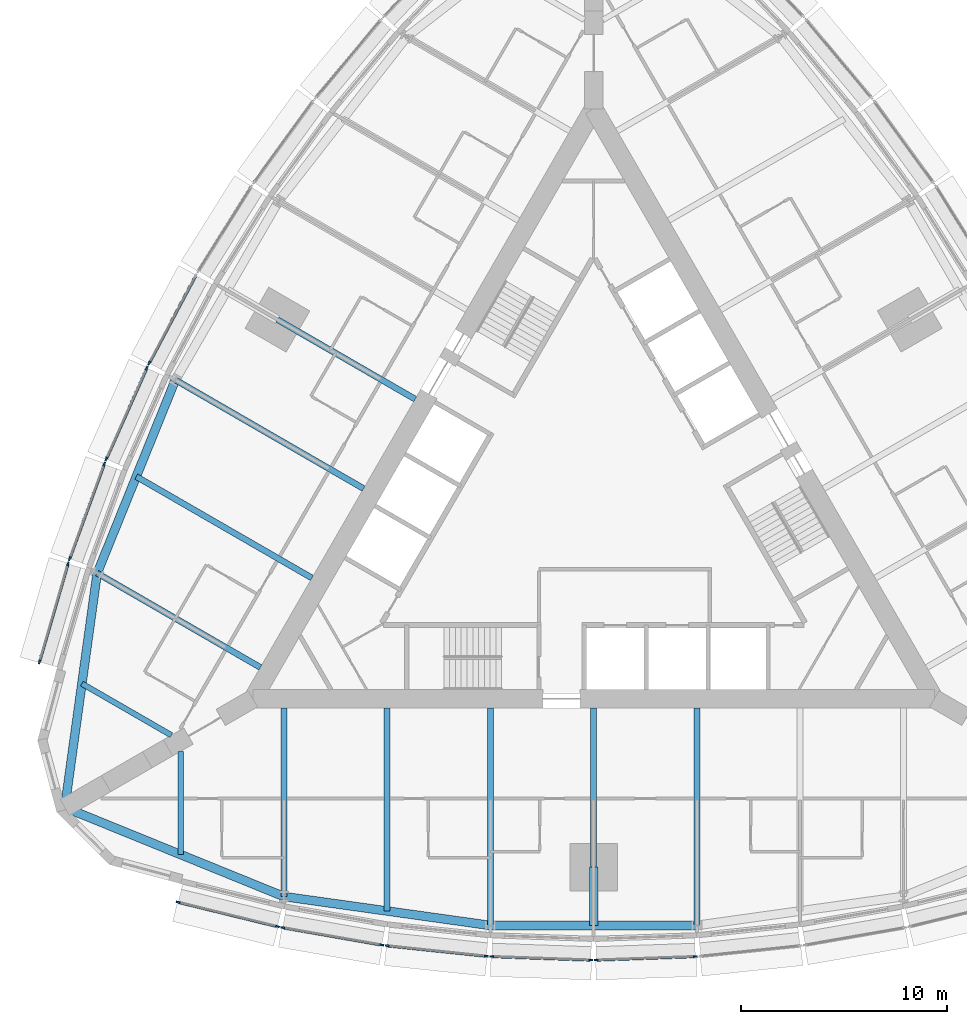
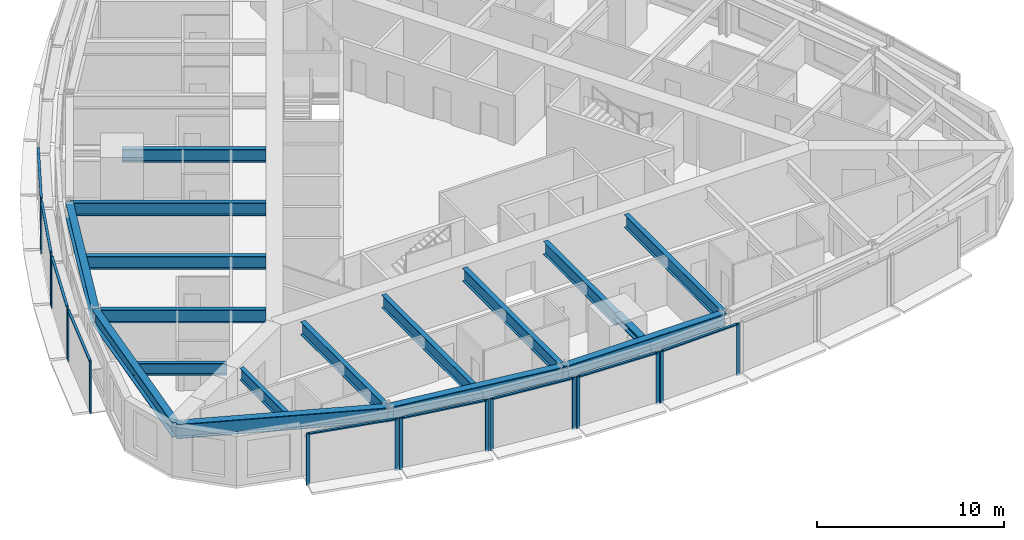
# One storey, part 2 of 14: 26 members, 17 beams, 9 elements without a shape of their own.
"""IFC4 building model written with IfcOpenShell, lengths in metres."""

from ifc_helpers import new_model, si_unit, direction, frame, origin, origin_2d, place, context, subcontext, project, spatial, rectangle, i_section, extrude, material, material_profile, profile_set, type_object, element, aggregate, save


model = new_model("IFC4")

# Units and contexts
model_context = context("Model", 3, precision=1e-05, world=origin(), true_north=direction((0.0, 1.0)))
body_context = subcontext(model_context, "Body", "Model", "MODEL_VIEW")
ifc_project = project(units=[si_unit("LENGTHUNIT", "METRE"), si_unit("AREAUNIT", "SQUARE_METRE"), si_unit("VOLUMEUNIT", "CUBIC_METRE"), si_unit("PLANEANGLEUNIT", "RADIAN"), si_unit("MASSUNIT", "GRAM", prefix="KILO")], contexts=[model_context])

# Site, building, storey
site_placement = place(None, origin())
site = spatial("IfcSite", under=ifc_project, at=site_placement, CompositionType="ELEMENT")
building_placement = place(site_placement, origin())
building = spatial("IfcBuilding", under=site, at=building_placement, Name="Trikona Tower", CompositionType="ELEMENT")
storey_placement = place(building_placement, frame((0.0, 0.0, 128.300048828125)))
storey = spatial("IfcBuildingStorey", under=building, at=storey_placement, Name="L33", CompositionType="ELEMENT", Elevation=128.300048828125)

# Curtain wall, members
ifc_material_1 = material(Name="Aluminium curtain wall system", Category="aluminium")
curtain_wall_type = type_object("IfcCurtainWallType", Name="Curtain wall DS2", PredefinedType="NOTDEFINED", material=ifc_material_1)
curtain_wall_1_placement = place(storey_placement, origin())
curtain_wall_1 = element("IfcCurtainWall", 1, at=curtain_wall_1_placement, inside=storey, type_object=curtain_wall_type, Name="Curtain wall DS2 L33", PredefinedType="NOTDEFINED")
ifc_material_2 = material(Name="Aluminium mullion, pale anodised", Category="aluminium")
ifc_material_profile_1 = material_profile(ifc_material_2, rectangle(XDim=0.080078125, YDim=0.199951171875, at=origin_2d()), Name="MUL-DS2")
ifc_profile_set_1 = profile_set([ifc_material_profile_1], Name="Aluminium mullion, pale anodised")
member_type_1 = type_object("IfcMemberType", Name="Mullion DS2 80x200", PredefinedType="MULLION", material=ifc_profile_set_1)
member_1_placement = place(storey_placement, frame((-20.116943359375, -19.373046875, 0.0), z_axis=(0.0, 0.0, 1.0), x_axis=(0.237970204243, 0.971272455026, 0.0)))
member_1 = element("IfcMember", 2, at=member_1_placement, type_object=member_type_1, Name="CW-DS2 mullion 1", PredefinedType="MULLION", context=body_context, shape_type="SweptSolid", body=[
    extrude(rectangle(XDim=0.080078125, YDim=0.199951171875, at=origin_2d()), origin(), (0.0, 0.0, 1.0), 3.39990234375),
])
member_2_placement = place(storey_placement, frame((-15.311279296875, -20.550537109375, 0.0), z_axis=(0.0, 0.0, 1.0), x_axis=(0.237970204243, 0.971272455026, 0.0)))
member_2 = element("IfcMember", 3, at=member_2_placement, type_object=member_type_1, Name="CW-DS2 mullion 2", PredefinedType="MULLION", context=body_context, shape_type="SweptSolid", body=[
    extrude(rectangle(XDim=0.080078125, YDim=0.199951171875, at=origin_2d()), origin(), (0.0, 0.0, 1.0), 3.39990234375),
])

curtain_wall_2_placement = place(storey_placement, origin())
curtain_wall_2 = element("IfcCurtainWall", 4, at=curtain_wall_2_placement, inside=storey, type_object=curtain_wall_type, Name="Curtain wall DS2 L33", PredefinedType="NOTDEFINED")
member_3_placement = place(storey_placement, frame((-15.056640625, -20.60400390625, 0.0), z_axis=(0.0, 0.0, 1.0), x_axis=(0.17237739505, 0.985030981074, 0.0)))
member_3 = element("IfcMember", 5, at=member_3_placement, type_object=member_type_1, Name="CW-DS2 mullion 1", PredefinedType="MULLION", context=body_context, shape_type="SweptSolid", body=[
    extrude(rectangle(XDim=0.080078125, YDim=0.199951171875, at=origin_2d()), origin(), (0.0, 0.0, 1.0), 3.39990234375),
])
member_4_placement = place(storey_placement, frame((-10.253662109375, -21.444580078125, 0.0), z_axis=(0.0, 0.0, 1.0), x_axis=(0.17237739505, 0.985030981074, 0.0)))
member_4 = element("IfcMember", 6, at=member_4_placement, type_object=member_type_1, Name="CW-DS2 mullion 2", PredefinedType="MULLION", context=body_context, shape_type="SweptSolid", body=[
    extrude(rectangle(XDim=0.080078125, YDim=0.199951171875, at=origin_2d()), origin(), (0.0, 0.0, 1.0), 3.39990234375),
])

curtain_wall_3_placement = place(storey_placement, origin())
curtain_wall_3 = element("IfcCurtainWall", 7, at=curtain_wall_3_placement, inside=storey, type_object=curtain_wall_type, Name="Curtain wall DS2 L33", PredefinedType="NOTDEFINED")
member_5_placement = place(storey_placement, frame((-9.99462890625, -21.480712890625, 0.0), z_axis=(0.0, 0.0, 1.0), x_axis=(0.104433387357, 0.994531883654, 0.0)))
member_5 = element("IfcMember", 8, at=member_5_placement, type_object=member_type_1, Name="CW-DS2 mullion 1", PredefinedType="MULLION", context=body_context, shape_type="SweptSolid", body=[
    extrude(rectangle(XDim=0.080078125, YDim=0.199951171875, at=origin_2d()), origin(), (0.0, 0.0, 1.0), 3.39990234375),
])
member_6_placement = place(storey_placement, frame((-5.193359375, -21.98486328125, 0.0), z_axis=(0.0, 0.0, 1.0), x_axis=(0.104433387357, 0.994531883654, 0.0)))
member_6 = element("IfcMember", 9, at=member_6_placement, type_object=member_type_1, Name="CW-DS2 mullion 2", PredefinedType="MULLION", context=body_context, shape_type="SweptSolid", body=[
    extrude(rectangle(XDim=0.080078125, YDim=0.199951171875, at=origin_2d()), origin(), (0.0, 0.0, 1.0), 3.39990234375),
])

curtain_wall_4_placement = place(storey_placement, origin())
curtain_wall_4 = element("IfcCurtainWall", 10, at=curtain_wall_4_placement, inside=storey, type_object=curtain_wall_type, Name="Curtain wall DS2 L33", PredefinedType="NOTDEFINED")
member_7_placement = place(storey_placement, frame((-4.931640625, -22.003173828125, 0.0), z_axis=(0.0, 0.0, 1.0), x_axis=(0.034998320052, 0.99938737114, 0.0)))
member_7 = element("IfcMember", 11, at=member_7_placement, type_object=member_type_1, Name="CW-DS2 mullion 1", PredefinedType="MULLION", context=body_context, shape_type="SweptSolid", body=[
    extrude(rectangle(XDim=0.080078125, YDim=0.199951171875, at=origin_2d()), origin(), (0.0, 0.0, 1.0), 3.39990234375),
])
member_8_placement = place(storey_placement, frame((-0.13134765625, -22.171142578125, 0.0), z_axis=(0.0, 0.0, 1.0), x_axis=(0.034998320052, 0.99938737114, 0.0)))
member_8 = element("IfcMember", 12, at=member_8_placement, type_object=member_type_1, Name="CW-DS2 mullion 2", PredefinedType="MULLION", context=body_context, shape_type="SweptSolid", body=[
    extrude(rectangle(XDim=0.080078125, YDim=0.199951171875, at=origin_2d()), origin(), (0.0, 0.0, 1.0), 3.39990234375),
])

curtain_wall_5_placement = place(storey_placement, origin())
curtain_wall_5 = element("IfcCurtainWall", 13, at=curtain_wall_5_placement, inside=storey, type_object=curtain_wall_type, Name="Curtain wall DS2 L33", PredefinedType="NOTDEFINED")
member_9_placement = place(storey_placement, frame((0.13134765625, -22.171142578125, 0.0), z_axis=(0.0, 0.0, 1.0), x_axis=(-0.034998320052, 0.99938737114, 0.0)))
member_9 = element("IfcMember", 14, at=member_9_placement, type_object=member_type_1, Name="CW-DS2 mullion 1", PredefinedType="MULLION", context=body_context, shape_type="SweptSolid", body=[
    extrude(rectangle(XDim=0.080078125, YDim=0.199951171875, at=origin_2d()), origin(), (0.0, 0.0, 1.0), 3.39990234375),
])
member_10_placement = place(storey_placement, frame((4.931640625, -22.003173828125, 0.0), z_axis=(0.0, 0.0, 1.0), x_axis=(-0.034998320052, 0.99938737114, 0.0)))
member_10 = element("IfcMember", 15, at=member_10_placement, type_object=member_type_1, Name="CW-DS2 mullion 2", PredefinedType="MULLION", context=body_context, shape_type="SweptSolid", body=[
    extrude(rectangle(XDim=0.080078125, YDim=0.199951171875, at=origin_2d()), origin(), (0.0, 0.0, 1.0), 3.39990234375),
])

# Curtain wall, member
curtain_wall_6_placement = place(storey_placement, origin())
curtain_wall_6 = element("IfcCurtainWall", 16, at=curtain_wall_6_placement, inside=storey, type_object=curtain_wall_type, Name="Curtain wall DS2 L33", PredefinedType="NOTDEFINED")
member_11_placement = place(storey_placement, frame((-21.52099609375, 6.730712890625, 0.0), z_axis=(0.0, 0.0, 1.0), x_axis=(0.882996107343, -0.469380308937, 0.0)))
member_11 = element("IfcMember", 17, at=member_11_placement, type_object=member_type_1, Name="CW-DS2 mullion 2", PredefinedType="MULLION", context=body_context, shape_type="SweptSolid", body=[
    extrude(rectangle(XDim=0.080078125, YDim=0.199951171875, at=origin_2d()), origin(), (0.0, 0.0, 1.0), 3.39990234375),
])

# Curtain wall, members
curtain_wall_7_placement = place(storey_placement, origin())
curtain_wall_7 = element("IfcCurtainWall", 18, at=curtain_wall_7_placement, inside=storey, type_object=curtain_wall_type, Name="Curtain wall DS2 L33", PredefinedType="NOTDEFINED")
member_12_placement = place(storey_placement, frame((-21.63623046875, 6.494873046875, 0.0), z_axis=(0.0, 0.0, 1.0), x_axis=(0.913501208767, -0.406836013132, 0.0)))
member_12 = element("IfcMember", 19, at=member_12_placement, type_object=member_type_1, Name="CW-DS2 mullion 1", PredefinedType="MULLION", context=body_context, shape_type="SweptSolid", body=[
    extrude(rectangle(XDim=0.080078125, YDim=0.199951171875, at=origin_2d()), origin(), (0.0, 0.0, 1.0), 3.39990234375),
])
member_13_placement = place(storey_placement, frame((-23.60009765625, 2.0849609375, 0.0), z_axis=(0.0, 0.0, 1.0), x_axis=(0.913501208767, -0.406836013132, 0.0)))
member_13 = element("IfcMember", 20, at=member_13_placement, type_object=member_type_1, Name="CW-DS2 mullion 2", PredefinedType="MULLION", context=body_context, shape_type="SweptSolid", body=[
    extrude(rectangle(XDim=0.080078125, YDim=0.199951171875, at=origin_2d()), origin(), (0.0, 0.0, 1.0), 3.39990234375),
])

curtain_wall_8_placement = place(storey_placement, origin())
curtain_wall_8 = element("IfcCurtainWall", 21, at=curtain_wall_8_placement, inside=storey, type_object=curtain_wall_type, Name="Curtain wall DS2 L33", PredefinedType="NOTDEFINED")
member_14_placement = place(storey_placement, frame((-23.6982421875, 1.84228515625, 0.0), z_axis=(0.0, 0.0, 1.0), x_axis=(0.939253790978, -0.343223420143, 0.0)))
member_14 = element("IfcMember", 22, at=member_14_placement, type_object=member_type_1, Name="CW-DS2 mullion 1", PredefinedType="MULLION", context=body_context, shape_type="SweptSolid", body=[
    extrude(rectangle(XDim=0.080078125, YDim=0.199951171875, at=origin_2d()), origin(), (0.0, 0.0, 1.0), 3.39990234375),
])
member_15_placement = place(storey_placement, frame((-25.371826171875, -2.737548828125, 0.0), z_axis=(0.0, 0.0, 1.0), x_axis=(0.939253790978, -0.343223420143, 0.0)))
member_15 = element("IfcMember", 23, at=member_15_placement, type_object=member_type_1, Name="CW-DS2 mullion 2", PredefinedType="MULLION", context=body_context, shape_type="SweptSolid", body=[
    extrude(rectangle(XDim=0.080078125, YDim=0.199951171875, at=origin_2d()), origin(), (0.0, 0.0, 1.0), 3.39990234375),
])

curtain_wall_9_placement = place(storey_placement, origin())
curtain_wall_9 = element("IfcCurtainWall", 24, at=curtain_wall_9_placement, inside=storey, type_object=curtain_wall_type, Name="Curtain wall DS2 L33", PredefinedType="NOTDEFINED")
member_16_placement = place(storey_placement, frame((-25.452880859375, -2.984619140625, 0.0), z_axis=(0.0, 0.0, 1.0), x_axis=(0.96013310152, -0.279543247757, 0.0)))
member_16 = element("IfcMember", 25, at=member_16_placement, type_object=member_type_1, Name="CW-DS2 mullion 1", PredefinedType="MULLION", context=body_context, shape_type="SweptSolid", body=[
    extrude(rectangle(XDim=0.080078125, YDim=0.199951171875, at=origin_2d()), origin(), (0.0, 0.0, 1.0), 3.39990234375),
])
member_17_placement = place(storey_placement, frame((-26.836181640625, -7.7353515625, 0.0), z_axis=(0.0, 0.0, 1.0), x_axis=(0.96013310152, -0.279543247757, 0.0)))
member_17 = element("IfcMember", 26, at=member_17_placement, type_object=member_type_1, Name="CW-DS2 mullion 2", PredefinedType="MULLION", context=body_context, shape_type="SweptSolid", body=[
    extrude(rectangle(XDim=0.080078125, YDim=0.199951171875, at=origin_2d()), origin(), (0.0, 0.0, 1.0), 3.39990234375),
])

# Beams
ifc_material_3 = material(Name="Steel ASTM A992 Grade 50", Category="steel")
ifc_material_profile_2 = material_profile(ifc_material_3, i_section(OverallWidth=0.419189453125, OverallDepth=0.45458984375, WebThickness=0.042236328125, FlangeThickness=0.067626953125, at=origin_2d()), Name="W14X370")
ifc_profile_set_2 = profile_set([ifc_material_profile_2], Name="Steel ASTM A992 Grade 50")
beam_type_1 = type_object("IfcBeamType", Name="Steel beam W14x370 (apex bracket)", PredefinedType="BEAM", material=ifc_profile_set_2)
beam_1_placement = place(storey_placement, frame((0.0, -17.680419921875, 3.007568359375), z_axis=(0.0, -1.0, 0.0), x_axis=(1.0, 0.0, 0.0)))
element("IfcBeam", 27, at=beam_1_placement, inside=storey, type_object=beam_type_1, Name="Cantilever bracket L34 F1", PredefinedType="BEAM", context=body_context, shape_type="SweptSolid", body=[
    extrude(i_section(OverallWidth=0.419189453125, OverallDepth=0.45458984375, WebThickness=0.042236328125, FlangeThickness=0.067626953125, at=origin_2d()), origin(), (0.0, 0.0, 1.0), 2.81982421875),
])
ifc_material_4 = material(Name="Steel ASTM A992 Grade 50", Category="steel")
ifc_material_profile_3 = material_profile(ifc_material_4, i_section(OverallWidth=0.2666015625, OverallDepth=0.76953125, WebThickness=0.015625, FlangeThickness=0.025390625, at=origin_2d()), Name="W30X132")
ifc_profile_set_3 = profile_set([ifc_material_profile_3], Name="Steel ASTM A992 Grade 50")
beam_type_2 = type_object("IfcBeamType", Name="Steel beam W30x132 (wedge)", PredefinedType="BEAM", material=ifc_profile_set_3)
beam_2_placement = place(storey_placement, frame((-20.0, -12.066650390625, 2.85009765625), z_axis=(0.0, -1.0, 0.0), x_axis=(1.0, 0.0, 0.0)))
element("IfcBeam", 28, at=beam_2_placement, inside=storey, type_object=beam_type_2, Name="Floor beam L34 F1 u-20", PredefinedType="BEAM", context=body_context, shape_type="SweptSolid", body=[
    extrude(i_section(OverallWidth=0.2666015625, OverallDepth=0.76953125, WebThickness=0.015625, FlangeThickness=0.025390625, at=origin_2d()), origin(), (0.0, 0.0, 1.0), 5.00048828125),
])
beam_3_placement = place(storey_placement, frame((-20.449951171875, -11.287109375, 2.85009765625), z_axis=(-0.866038434829, 0.49997742889, 0.0), x_axis=(-0.49997742889, -0.866038434829, 0.0)))
element("IfcBeam", 29, at=beam_3_placement, inside=storey, type_object=beam_type_2, Name="Floor beam L34 F3 u20", PredefinedType="BEAM", context=body_context, shape_type="SweptSolid", body=[
    extrude(i_section(OverallWidth=0.2666015625, OverallDepth=0.76953125, WebThickness=0.015625, FlangeThickness=0.025390625, at=origin_2d()), origin(), (0.0, 0.0, 1.0), 5.000732421875),
])
ifc_material_5 = material(Name="Steel ASTM A992 Grade 50", Category="steel")
ifc_material_profile_4 = material_profile(ifc_material_5, i_section(OverallWidth=0.2919921875, OverallDepth=0.845703125, WebThickness=0.015380859375, FlangeThickness=0.0244140625, at=origin_2d()), Name="W33X141")
ifc_profile_set_4 = profile_set([ifc_material_profile_4], Name="Steel ASTM A992 Grade 50")
beam_type_3 = type_object("IfcBeamType", Name="Steel beam W33x141 (radial typ)", PredefinedType="BEAM", material=ifc_profile_set_4)
beam_4_placement = place(storey_placement, frame((-15.0, -9.976318359375, 2.81201171875), z_axis=(0.0, -1.0, 0.0), x_axis=(1.0, 0.0, 0.0)))
element("IfcBeam", 30, at=beam_4_placement, inside=storey, type_object=beam_type_3, Name="Floor beam L34 F1 u-15", PredefinedType="BEAM", context=body_context, shape_type="SweptSolid", body=[
    extrude(i_section(OverallWidth=0.2919921875, OverallDepth=0.845703125, WebThickness=0.015380859375, FlangeThickness=0.0244140625, at=origin_2d()), origin(), (0.0, 0.0, 1.0), 9.123779296875),
])
beam_5_placement = place(storey_placement, frame((-10.0, -9.976318359375, 2.81201171875), z_axis=(0.0, -1.0, 0.0), x_axis=(1.0, 0.0, 0.0)))
element("IfcBeam", 31, at=beam_5_placement, inside=storey, type_object=beam_type_3, Name="Floor beam L34 F1 u-10", PredefinedType="BEAM", context=body_context, shape_type="SweptSolid", body=[
    extrude(i_section(OverallWidth=0.2919921875, OverallDepth=0.845703125, WebThickness=0.015380859375, FlangeThickness=0.0244140625, at=origin_2d()), origin(), (0.0, 0.0, 1.0), 9.823974609375),
])
beam_6_placement = place(storey_placement, frame((-5.0, -9.976318359375, 2.81201171875), z_axis=(0.0, -1.0, 0.0), x_axis=(1.0, 0.0, 0.0)))
element("IfcBeam", 32, at=beam_6_placement, inside=storey, type_object=beam_type_3, Name="Floor beam L34 F1 u-5", PredefinedType="BEAM", context=body_context, shape_type="SweptSolid", body=[
    extrude(i_section(OverallWidth=0.2919921875, OverallDepth=0.845703125, WebThickness=0.015380859375, FlangeThickness=0.0244140625, at=origin_2d()), origin(), (0.0, 0.0, 1.0), 10.52392578125),
])
beam_7_placement = place(storey_placement, frame((0.0, -9.976318359375, 2.81201171875), z_axis=(0.0, -1.0, 0.0), x_axis=(1.0, 0.0, 0.0)))
element("IfcBeam", 33, at=beam_7_placement, inside=storey, type_object=beam_type_3, Name="Floor beam L34 F1 u0", PredefinedType="BEAM", context=body_context, shape_type="SweptSolid", body=[
    extrude(i_section(OverallWidth=0.2919921875, OverallDepth=0.845703125, WebThickness=0.015380859375, FlangeThickness=0.0244140625, at=origin_2d()), origin(), (0.0, 0.0, 1.0), 7.7041015625),
])
beam_8_placement = place(storey_placement, frame((5.0, -9.976318359375, 2.81201171875), z_axis=(0.0, -1.0, 0.0), x_axis=(1.0, 0.0, 0.0)))
element("IfcBeam", 34, at=beam_8_placement, inside=storey, type_object=beam_type_3, Name="Floor beam L34 F1 u5", PredefinedType="BEAM", context=body_context, shape_type="SweptSolid", body=[
    extrude(i_section(OverallWidth=0.2919921875, OverallDepth=0.845703125, WebThickness=0.015380859375, FlangeThickness=0.0244140625, at=origin_2d()), origin(), (0.0, 0.0, 1.0), 10.52392578125),
])
beam_9_placement = place(storey_placement, frame((-8.6396484375, 4.988037109375, 2.81201171875), z_axis=(-0.866017246294, 0.500014128921, 0.0), x_axis=(-0.500014128921, -0.866017246294, 0.0)))
element("IfcBeam", 35, at=beam_9_placement, inside=storey, type_object=beam_type_3, Name="Floor beam L34 F3 u0", PredefinedType="BEAM", context=body_context, shape_type="SweptSolid", body=[
    extrude(i_section(OverallWidth=0.2919921875, OverallDepth=0.845703125, WebThickness=0.015380859375, FlangeThickness=0.0244140625, at=origin_2d()), origin(), (0.0, 0.0, 1.0), 7.704345703125),
])
beam_10_placement = place(storey_placement, frame((-11.1396484375, 0.657958984375, 2.81201171875), z_axis=(-0.866026035623, 0.499998905622, 0.0), x_axis=(-0.499998905622, -0.866026035623, 0.0)))
element("IfcBeam", 36, at=beam_10_placement, inside=storey, type_object=beam_type_3, Name="Floor beam L34 F3 u5", PredefinedType="BEAM", context=body_context, shape_type="SweptSolid", body=[
    extrude(i_section(OverallWidth=0.2919921875, OverallDepth=0.845703125, WebThickness=0.015380859375, FlangeThickness=0.0244140625, at=origin_2d()), origin(), (0.0, 0.0, 1.0), 10.52392578125),
])
beam_11_placement = place(storey_placement, frame((-13.6396484375, -3.672119140625, 2.81201171875), z_axis=(-0.866020046725, 0.500009278584, 0.0), x_axis=(-0.500009278584, -0.866020046725, 0.0)))
element("IfcBeam", 37, at=beam_11_placement, inside=storey, type_object=beam_type_3, Name="Floor beam L34 F3 u10", PredefinedType="BEAM", context=body_context, shape_type="SweptSolid", body=[
    extrude(i_section(OverallWidth=0.2919921875, OverallDepth=0.845703125, WebThickness=0.015380859375, FlangeThickness=0.0244140625, at=origin_2d()), origin(), (0.0, 0.0, 1.0), 9.823974609375),
])
beam_12_placement = place(storey_placement, frame((-16.1396484375, -8.002197265625, 2.81201171875), z_axis=(-0.866024725532, 0.500001174766, 0.0), x_axis=(-0.500001174766, -0.866024725532, 0.0)))
element("IfcBeam", 38, at=beam_12_placement, inside=storey, type_object=beam_type_3, Name="Floor beam L34 F3 u15", PredefinedType="BEAM", context=body_context, shape_type="SweptSolid", body=[
    extrude(i_section(OverallWidth=0.2919921875, OverallDepth=0.845703125, WebThickness=0.015380859375, FlangeThickness=0.0244140625, at=origin_2d()), origin(), (0.0, 0.0, 1.0), 9.1240234375),
])
ifc_material_6 = material(Name="Steel ASTM A992 Grade 50", Category="steel")
ifc_material_profile_5 = material_profile(ifc_material_6, i_section(OverallWidth=0.424072265625, OverallDepth=0.947509765625, WebThickness=0.02392578125, FlangeThickness=0.042724609375, at=origin_2d()), Name="W36X302")
ifc_profile_set_5 = profile_set([ifc_material_profile_5], Name="Steel ASTM A992 Grade 50")
beam_type_4 = type_object("IfcBeamType", Name="Steel beam W36x302 (spandrel)", PredefinedType="SPANDREL", material=ifc_profile_set_5)
beam_13_placement = place(storey_placement, frame((-25.6103515625, -14.7861328125, 2.76123046875), z_axis=(0.926359695662, -0.376640032728, 0.0), x_axis=(0.376640032728, 0.926359695662, 0.0)))
element("IfcBeam", 39, at=beam_13_placement, inside=storey, type_object=beam_type_4, Name="Spandrel beam L34 F1-1", PredefinedType="SPANDREL", context=body_context, shape_type="SweptSolid", body=[
    extrude(i_section(OverallWidth=0.424072265625, OverallDepth=0.947509765625, WebThickness=0.02392578125, FlangeThickness=0.042724609375, at=origin_2d()), origin(), (0.0, 0.0, 1.0), 11.453857421875),
])
beam_14_placement = place(storey_placement, frame((-15.0, -19.10009765625, 2.76123046875), z_axis=(0.990339754644, -0.13866207258, 0.0), x_axis=(0.13866207258, 0.990339754644, 0.0)))
element("IfcBeam", 40, at=beam_14_placement, inside=storey, type_object=beam_type_4, Name="Spandrel beam L34 F1-2", PredefinedType="SPANDREL", context=body_context, shape_type="SweptSolid", body=[
    extrude(i_section(OverallWidth=0.424072265625, OverallDepth=0.947509765625, WebThickness=0.02392578125, FlangeThickness=0.042724609375, at=origin_2d()), origin(), (0.0, 0.0, 1.0), 10.09765625),
])
beam_15_placement = place(storey_placement, frame((-5.0, -20.500244140625, 2.76123046875), z_axis=(1.0, 0.0, 0.0), x_axis=(0.0, 1.0, 0.0)))
element("IfcBeam", 41, at=beam_15_placement, inside=storey, type_object=beam_type_4, Name="Spandrel beam L34 F1-3", PredefinedType="SPANDREL", context=body_context, shape_type="SweptSolid", body=[
    extrude(i_section(OverallWidth=0.424072265625, OverallDepth=0.947509765625, WebThickness=0.02392578125, FlangeThickness=0.042724609375, at=origin_2d()), origin(), (0.0, 0.0, 1.0), 10.0),
])
beam_16_placement = place(storey_placement, frame((-20.253662109375, 5.919921875, 2.76123046875), z_axis=(-0.375106193787, -0.926981846307, 0.0), x_axis=(0.926981846307, -0.375106193787, 0.0)))
element("IfcBeam", 42, at=beam_16_placement, inside=storey, type_object=beam_type_4, Name="Spandrel beam L34 F3-4", PredefinedType="SPANDREL", context=body_context, shape_type="SweptSolid", body=[
    extrude(i_section(OverallWidth=0.424072265625, OverallDepth=0.947509765625, WebThickness=0.02392578125, FlangeThickness=0.042724609375, at=origin_2d()), origin(), (0.0, 0.0, 1.0), 10.097412109375),
])
beam_17_placement = place(storey_placement, frame((-24.041259765625, -3.440185546875, 2.76123046875), z_axis=(-0.136991535842, -0.990572218017, 0.0), x_axis=(0.990572218017, -0.136991535842, 0.0)))
element("IfcBeam", 43, at=beam_17_placement, inside=storey, type_object=beam_type_4, Name="Spandrel beam L34 F3-5", PredefinedType="SPANDREL", context=body_context, shape_type="SweptSolid", body=[
    extrude(i_section(OverallWidth=0.424072265625, OverallDepth=0.947509765625, WebThickness=0.02392578125, FlangeThickness=0.042724609375, at=origin_2d()), origin(), (0.0, 0.0, 1.0), 11.453857421875),
])

# Member
ifc_material_7 = material(Name="Aluminium transom, pale anodised", Category="aluminium")
ifc_material_profile_6 = material_profile(ifc_material_7, rectangle(XDim=0.139892578125, YDim=0.080078125, at=origin_2d()), Name="TRN-DS2")
ifc_profile_set_6 = profile_set([ifc_material_profile_6], Name="Aluminium transom, pale anodised")
member_type_2 = type_object("IfcMemberType", Name="Transom DS2 80x140", PredefinedType="USERDEFINED", material=ifc_profile_set_6)
member_18_placement = place(storey_placement, frame((-20.078125, -19.382568359375, 3.35986328125), z_axis=(0.971270583303, -0.237977843528, 0.0), x_axis=(0.237977843528, 0.971270583303, 0.0)))
member_18 = element("IfcMember", 44, at=member_18_placement, type_object=member_type_2, Name="CW-DS2 transom 1.1", ObjectType="TRANSOM", PredefinedType="USERDEFINED", context=body_context, shape_type="SweptSolid", body=[
    extrude(rectangle(XDim=0.139892578125, YDim=0.080078125, at=origin_2d()), origin(), (0.0, 0.0, 1.0), 4.867919921875),
])

aggregate(curtain_wall_1, [member_1, member_2, member_18])

member_19_placement = place(storey_placement, frame((-15.01708984375, -20.61083984375, 3.35986328125), z_axis=(0.98503262804, -0.172367983387, 0.0), x_axis=(0.172367983387, 0.98503262804, 0.0)))
member_19 = element("IfcMember", 45, at=member_19_placement, type_object=member_type_2, Name="CW-DS2 transom 1.1", ObjectType="TRANSOM", PredefinedType="USERDEFINED", context=body_context, shape_type="SweptSolid", body=[
    extrude(rectangle(XDim=0.139892578125, YDim=0.080078125, at=origin_2d()), origin(), (0.0, 0.0, 1.0), 4.7958984375),
])

aggregate(curtain_wall_2, [member_3, member_4, member_19])

member_20_placement = place(storey_placement, frame((-9.954833984375, -21.48486328125, 3.35986328125), z_axis=(0.99453106441, -0.104441188822, 0.0), x_axis=(0.104441188822, 0.99453106441, 0.0)))
member_20 = element("IfcMember", 46, at=member_20_placement, type_object=member_type_2, Name="CW-DS2 transom 1.1", ObjectType="TRANSOM", PredefinedType="USERDEFINED", context=body_context, shape_type="SweptSolid", body=[
    extrude(rectangle(XDim=0.139892578125, YDim=0.080078125, at=origin_2d()), origin(), (0.0, 0.0, 1.0), 4.74755859375),
])

aggregate(curtain_wall_3, [member_5, member_6, member_20])

member_21_placement = place(storey_placement, frame((-4.8916015625, -22.00439453125, 3.35986328125), z_axis=(0.999385692759, -0.035046213908, 0.0), x_axis=(0.035046213908, 0.999385692759, 0.0)))
member_21 = element("IfcMember", 47, at=member_21_placement, type_object=member_type_2, Name="CW-DS2 transom 1.1", ObjectType="TRANSOM", PredefinedType="USERDEFINED", context=body_context, shape_type="SweptSolid", body=[
    extrude(rectangle(XDim=0.139892578125, YDim=0.080078125, at=origin_2d()), origin(), (0.0, 0.0, 1.0), 4.72314453125),
])

aggregate(curtain_wall_4, [member_7, member_8, member_21])

member_22_placement = place(storey_placement, frame((0.17138671875, -22.169921875, 3.35986328125), z_axis=(0.999385692759, 0.035046213908, 0.0), x_axis=(-0.035046213908, 0.999385692759, 0.0)))
member_22 = element("IfcMember", 48, at=member_22_placement, type_object=member_type_2, Name="CW-DS2 transom 1.1", ObjectType="TRANSOM", PredefinedType="USERDEFINED", context=body_context, shape_type="SweptSolid", body=[
    extrude(rectangle(XDim=0.139892578125, YDim=0.080078125, at=origin_2d()), origin(), (0.0, 0.0, 1.0), 4.72314453125),
])

aggregate(curtain_wall_5, [member_9, member_10, member_22])

member_23_placement = place(storey_placement, frame((-19.285400390625, 10.9365234375, 3.35986328125), z_axis=(-0.469364343408, -0.883004594063, 0.0), x_axis=(0.883004594063, -0.469364343408, 0.0)))
member_23 = element("IfcMember", 49, at=member_23_placement, type_object=member_type_2, Name="CW-DS2 transom 1.1", ObjectType="TRANSOM", PredefinedType="USERDEFINED", context=body_context, shape_type="SweptSolid", body=[
    extrude(rectangle(XDim=0.139892578125, YDim=0.080078125, at=origin_2d()), origin(), (0.0, 0.0, 1.0), 4.722900390625),
])

aggregate(curtain_wall_6, [member_11, member_23])

member_24_placement = place(storey_placement, frame((-21.65234375, 6.458251953125, 3.35986328125), z_axis=(-0.406839769607, -0.913499535778, 0.0), x_axis=(0.913499535778, -0.406839769607, 0.0)))
member_24 = element("IfcMember", 50, at=member_24_placement, type_object=member_type_2, Name="CW-DS2 transom 1.1", ObjectType="TRANSOM", PredefinedType="USERDEFINED", context=body_context, shape_type="SweptSolid", body=[
    extrude(rectangle(XDim=0.139892578125, YDim=0.080078125, at=origin_2d()), origin(), (0.0, 0.0, 1.0), 4.747314453125),
])

aggregate(curtain_wall_7, [member_12, member_13, member_24])

member_25_placement = place(storey_placement, frame((-23.712158203125, 1.8046875, 3.35986328125), z_axis=(-0.343205907674, -0.939260190223, 0.0), x_axis=(0.939260190223, -0.343205907674, 0.0)))
member_25 = element("IfcMember", 51, at=member_25_placement, type_object=member_type_2, Name="CW-DS2 transom 1.1", ObjectType="TRANSOM", PredefinedType="USERDEFINED", context=body_context, shape_type="SweptSolid", body=[
    extrude(rectangle(XDim=0.139892578125, YDim=0.080078125, at=origin_2d()), origin(), (0.0, 0.0, 1.0), 4.7958984375),
])

aggregate(curtain_wall_8, [member_14, member_15, member_25])

member_26_placement = place(storey_placement, frame((-25.464111328125, -3.023193359375, 3.35986328125), z_axis=(-0.279566628153, -0.960126293996, 0.0), x_axis=(0.960126293996, -0.279566628153, 0.0)))
member_26 = element("IfcMember", 52, at=member_26_placement, type_object=member_type_2, Name="CW-DS2 transom 1.1", ObjectType="TRANSOM", PredefinedType="USERDEFINED", context=body_context, shape_type="SweptSolid", body=[
    extrude(rectangle(XDim=0.139892578125, YDim=0.080078125, at=origin_2d()), origin(), (0.0, 0.0, 1.0), 4.86767578125),
])

aggregate(curtain_wall_9, [member_16, member_17, member_26])

save(model, "model.ifc")
